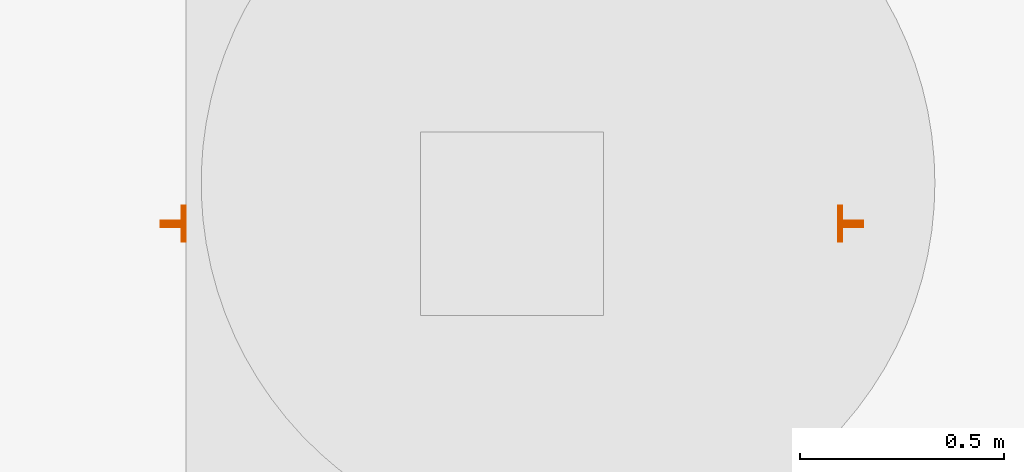
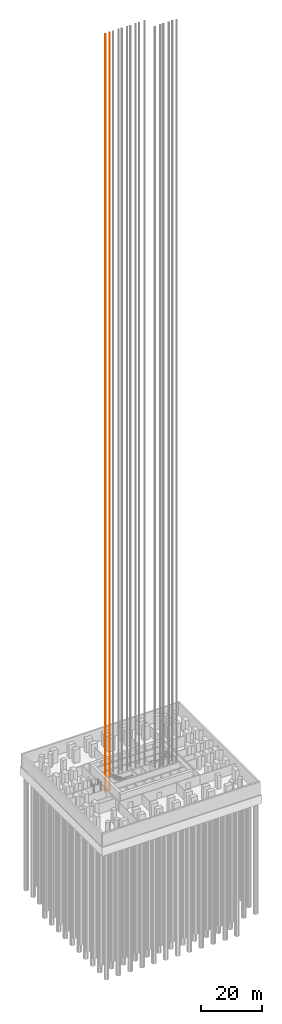
# One storey, part 9 of 17: 1 proxy.
"""IFC4 building model written with IfcOpenShell, lengths in metres."""

from ifc_helpers import new_model, si_unit, direction, frame, origin, origin_2d, place, context, subcontext, project, spatial, t_section, extrude, material, type_object, element, save


model = new_model("IFC4")

# Units and contexts
model_context = context("Model", 3, precision=1e-05, world=origin(), true_north=direction((0.0, 1.0)))
body_context = subcontext(model_context, "Body", "Model", "MODEL_VIEW")
ifc_project = project(units=[si_unit("LENGTHUNIT", "METRE"), si_unit("AREAUNIT", "SQUARE_METRE"), si_unit("VOLUMEUNIT", "CUBIC_METRE"), si_unit("PLANEANGLEUNIT", "RADIAN"), si_unit("MASSUNIT", "GRAM", prefix="KILO")], contexts=[model_context])

# Site, building, storey
site_placement = place(None, origin())
site = spatial("IfcSite", under=ifc_project, at=site_placement, CompositionType="ELEMENT")
building_placement = place(site_placement, origin())
building = spatial("IfcBuilding", under=site, at=building_placement, Name="Cobogo Forest Laboratory Tower", CompositionType="ELEMENT")
storey_placement = place(building_placement, frame((0.0, 0.0, -5.39990234375)))
storey = spatial("IfcBuildingStorey", under=building, at=storey_placement, Name="L-01", CompositionType="ELEMENT", Elevation=-5.39990234375)

# Proxy
ifc_material = material(Name="Steel guide rail", Category="steel")
building_element_proxy_type = type_object("IfcBuildingElementProxyType", Name="LR lift guide rails", PredefinedType="USERDEFINED", material=ifc_material)
proxy_placement = place(storey_placement, frame((15.012451171875, 25.25, 0.0)))
element("IfcBuildingElementProxy", 1, at=proxy_placement, inside=storey, type_object=building_element_proxy_type, Name="FL1 guide rails", ObjectType="LIFT GUIDE RAILS", PredefinedType="USERDEFINED", context=body_context, shape_type="SweptSolid", body=[
    extrude(t_section(Depth=0.062, FlangeWidth=0.089, WebThickness=0.0159, FlangeThickness=0.01, at=origin_2d()), frame((-0.8310546875, 0.0, -1.60009765625), z_axis=(0.0, 0.0, 1.0), x_axis=(0.0, -1.0, 0.0)), (0.0, 0.0, 1.0), 303.800048828125),
    extrude(t_section(Depth=0.062, FlangeWidth=0.089, WebThickness=0.0159, FlangeThickness=0.01, at=origin_2d()), frame((0.8310546875, 0.0, -1.60009765625), z_axis=(0.0, 0.0, 1.0), x_axis=(0.0, 1.0, 0.0)), (0.0, 0.0, 1.0), 303.800048828125),
])

save(model, "model.ifc")
